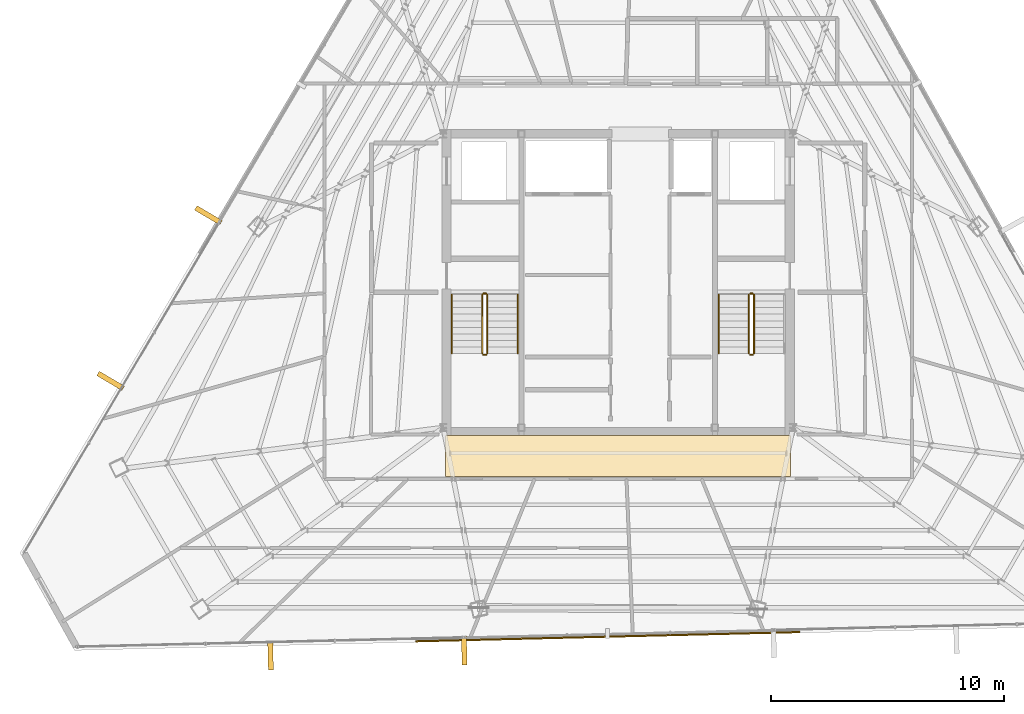
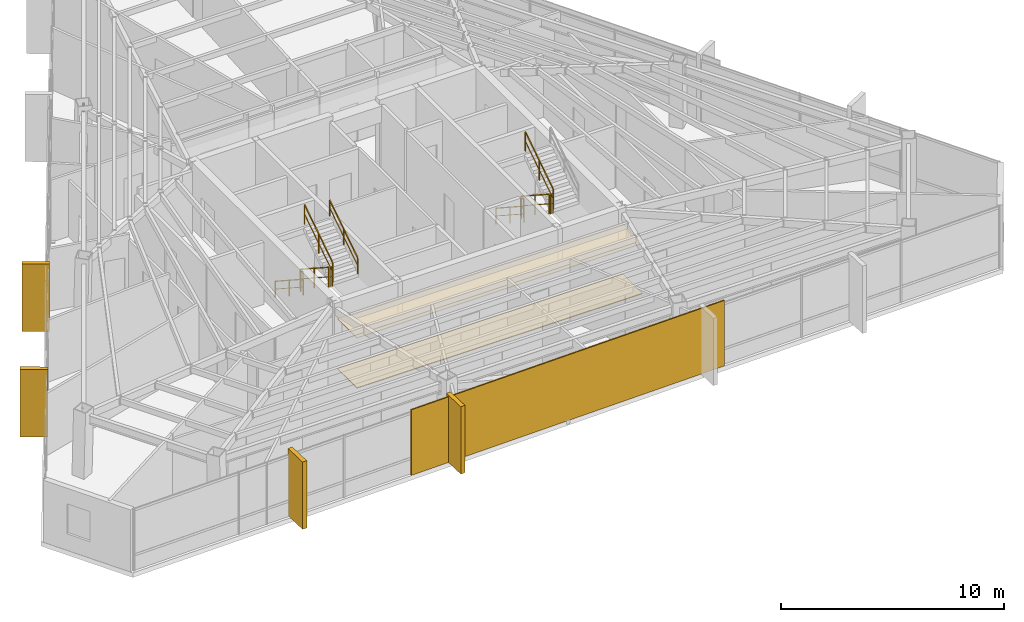
# One storey, part 47 of 48: 11 railings, 6 coverings, 1 shading device.
"""IFC4 building model written with IfcOpenShell, lengths in metres."""

from ifc_helpers import new_model, si_unit, direction, frame, origin, origin_2d, place, context, subcontext, project, spatial, polyline, rectangle, outline, extrude, source, transform, mapped, material, layer, layer_set, type_object, type_shapes, element, save


model = new_model("IFC4")

# Units and contexts
model_context = context("Model", 3, precision=1e-05, world=origin(), true_north=direction((0.0, 1.0)))
body_context = subcontext(model_context, "Body", "Model", "MODEL_VIEW")
ifc_project = project(units=[si_unit("LENGTHUNIT", "METRE"), si_unit("AREAUNIT", "SQUARE_METRE"), si_unit("VOLUMEUNIT", "CUBIC_METRE"), si_unit("PLANEANGLEUNIT", "RADIAN"), si_unit("MASSUNIT", "GRAM", prefix="KILO")], contexts=[model_context])

# Site, building, storey
site_placement = place(None, origin())
site = spatial("IfcSite", under=ifc_project, at=site_placement, CompositionType="ELEMENT")
building_placement = place(site_placement, origin())
building = spatial("IfcBuilding", under=site, at=building_placement, Name="Caelisora Broadcast Tower", CompositionType="ELEMENT")
storey_placement = place(building_placement, frame((0.0, 0.0, 270.0)))
storey = spatial("IfcBuildingStorey", under=building, at=storey_placement, Name="L71", CompositionType="ELEMENT", Elevation=270.0)

# Coverings
ifc_material_1 = material(Name="Perforated Mineral-Fibre Acoustic Ceiling Tile", Category="gypsum")
ifc_layer_1 = layer(ifc_material_1, 0.034912109375, Name="Perforated Mineral-Fibre Acoustic Ceiling Tile")
ifc_layer_set_1 = layer_set([ifc_layer_1], Name="Perforated Mineral-Fibre Acoustic Ceiling Tile")
covering_type_1 = type_object("IfcCoveringType", Name="CE-1", PredefinedType="CEILING", material=ifc_layer_set_1)
covering_1_placement = place(storey_placement, frame((0.0, 0.0, 2.75)))
element("IfcCovering", 1, at=covering_1_placement, inside=storey, type_object=covering_type_1, Name="L71 acoustic corridor ceiling CE-1 (S)", PredefinedType="CEILING", context=body_context, shape_type="SweptSolid", body=[
    extrude(outline(polyline([(30.60009765625, 15.300048828125), (45.39990234375, 15.300048828125), (45.39990234375, 17.050048828125), (30.60009765625, 17.050048828125), (30.60009765625, 15.300048828125)])), origin(), (0.0, 0.0, 1.0), 0.034912109375),
])
ifc_material_2 = material(Name="Anti-Static Broadcast Raised Access Floor Panel", Category="steel")
ifc_layer_2 = layer(ifc_material_2, 0.044921875, Name="Anti-Static Broadcast Raised Access Floor Panel")
ifc_layer_set_2 = layer_set([ifc_layer_2], Name="Anti-Static Broadcast Raised Access Floor Panel")
covering_type_2 = type_object("IfcCoveringType", Name="FL-1", PredefinedType="FLOORING", material=ifc_layer_set_2)
covering_2_placement = place(storey_placement, origin())
element("IfcCovering", 2, at=covering_2_placement, inside=storey, type_object=covering_type_2, Name="L71 broadcast raised access floor FL-1 (S)", PredefinedType="FLOORING", context=body_context, shape_type="SweptSolid", body=[
    extrude(outline(polyline([(30.60009765625, 15.300048828125), (45.39990234375, 15.300048828125), (45.39990234375, 17.050048828125), (30.60009765625, 17.050048828125), (30.60009765625, 15.300048828125)])), origin(), (0.0, 0.0, 1.0), 0.044921875),
])

# Railings
ifc_material_3 = material(Name="Galvanised Steel Safety Guardrail", Category="steel")
ifc_layer_3 = layer(ifc_material_3, 0.048095703125, Name="Galvanised Steel Safety Guardrail")
ifc_layer_set_3 = layer_set([ifc_layer_3], Name="Galvanised Steel Safety Guardrail")
railing_type_1 = type_object("IfcRailingType", Name="GR-1", PredefinedType="GUARDRAIL", material=ifc_layer_set_3)
railing_1_placement = place(storey_placement, frame((32.169921875, 23.10009765625, 0.1826171875)))
element("IfcRailing", 3, at=railing_1_placement, inside=storey, type_object=railing_type_1, Name="L71 ST-1 stair guard 1", PredefinedType="GUARDRAIL", context=body_context, shape_type="SweptSolid", body=[
    extrude(rectangle(XDim=0.048095703125, YDim=0.048095703125, at=origin_2d()), frame((0.0, 0.0, 1.076171875), z_axis=(0.0, -0.837786554691, 0.545997883492), x_axis=(1.0, 0.0, 0.0)), (0.0, 0.0, 1.0), 3.008056640625),
    extrude(rectangle(XDim=0.03125, YDim=0.03125, at=origin_2d()), frame((0.0, 0.0, 0.550048828125), z_axis=(0.0, -0.837786554691, 0.545997883492), x_axis=(1.0, 0.0, 0.0)), (0.0, 0.0, 1.0), 3.008056640625),
    extrude(rectangle(XDim=0.0419921875, YDim=0.0419921875, at=origin_2d()), origin(), (0.0, 0.0, 1.0), 1.052001953125),
    extrude(rectangle(XDim=0.0419921875, YDim=0.0419921875, at=origin_2d()), frame((0.0, -1.260009765625, 0.8212890625)), (0.0, 0.0, 1.0), 1.052001953125),
    extrude(rectangle(XDim=0.0419921875, YDim=0.0419921875, at=origin_2d()), frame((0.0, -2.52001953125, 1.642333984375)), (0.0, 0.0, 1.0), 1.052001953125),
])
railing_2_placement = place(storey_placement, frame((32.219970703125, 20.530029296875, 1.824951171875)))
element("IfcRailing", 4, at=railing_2_placement, inside=storey, type_object=railing_type_1, Name="L71 ST-1 stair guard 2", PredefinedType="GUARDRAIL", context=body_context, shape_type="SweptSolid", body=[
    extrude(rectangle(XDim=0.048095703125, YDim=0.048095703125, at=origin_2d()), frame((0.0, 0.0, 1.076171875), z_axis=(1.0, 0.0, 0.0), x_axis=(0.0, 1.0, 0.0)), (0.0, 0.0, 1.0), 0.1201171875),
    extrude(rectangle(XDim=0.03125, YDim=0.03125, at=origin_2d()), frame((0.0, 0.0, 0.550048828125), z_axis=(1.0, 0.0, 0.0), x_axis=(0.0, 1.0, 0.0)), (0.0, 0.0, 1.0), 0.1201171875),
    extrude(rectangle(XDim=0.0419921875, YDim=0.0419921875, at=origin_2d()), origin(), (0.0, 0.0, 1.0), 1.052001953125),
    extrude(rectangle(XDim=0.0419921875, YDim=0.0419921875, at=origin_2d()), frame((0.1201171875, 0.0, 0.0)), (0.0, 0.0, 1.0), 1.052001953125),
])
railing_3_placement = place(storey_placement, frame((32.389892578125, 20.580078125, 2.007568359375)))
element("IfcRailing", 5, at=railing_3_placement, inside=storey, type_object=railing_type_1, Name="L71 ST-1 stair guard 3", PredefinedType="GUARDRAIL", context=body_context, shape_type="SweptSolid", body=[
    extrude(rectangle(XDim=0.048095703125, YDim=0.048095703125, at=origin_2d()), frame((0.0, 0.0, 1.076171875), z_axis=(0.0, 0.837786554691, 0.545997883492), x_axis=(-1.0, 0.0, 0.0)), (0.0, 0.0, 1.0), 3.008056640625),
    extrude(rectangle(XDim=0.03125, YDim=0.03125, at=origin_2d()), frame((0.0, 0.0, 0.550048828125), z_axis=(0.0, 0.837786554691, 0.545997883492), x_axis=(-1.0, 0.0, 0.0)), (0.0, 0.0, 1.0), 3.008056640625),
    extrude(rectangle(XDim=0.0419921875, YDim=0.0419921875, at=origin_2d()), origin(), (0.0, 0.0, 1.0), 1.052001953125),
    extrude(rectangle(XDim=0.0419921875, YDim=0.0419921875, at=origin_2d()), frame((0.0, 1.260009765625, 0.8212890625)), (0.0, 0.0, 1.0), 1.052001953125),
    extrude(rectangle(XDim=0.0419921875, YDim=0.0419921875, at=origin_2d()), frame((0.0, 2.52001953125, 1.642333984375)), (0.0, 0.0, 1.0), 1.052001953125),
])
railing_4_placement = place(storey_placement, frame((32.219970703125, 23.14990234375, 0.0)))
element("IfcRailing", 6, at=railing_4_placement, inside=storey, type_object=railing_type_1, Name="L71 ST-1 stair guard 4", PredefinedType="GUARDRAIL", context=body_context, shape_type="SweptSolid", body=[
    extrude(rectangle(XDim=0.048095703125, YDim=0.048095703125, at=origin_2d()), frame((0.0, 0.0, 1.076171875), z_axis=(1.0, 0.0, 0.0), x_axis=(0.0, 1.0, 0.0)), (0.0, 0.0, 1.0), 0.1201171875),
    extrude(rectangle(XDim=0.03125, YDim=0.03125, at=origin_2d()), frame((0.0, 0.0, 0.550048828125), z_axis=(1.0, 0.0, 0.0), x_axis=(0.0, 1.0, 0.0)), (0.0, 0.0, 1.0), 0.1201171875),
    extrude(rectangle(XDim=0.0419921875, YDim=0.0419921875, at=origin_2d()), origin(), (0.0, 0.0, 1.0), 1.052001953125),
    extrude(rectangle(XDim=0.0419921875, YDim=0.0419921875, at=origin_2d()), frame((0.1201171875, 0.0, 0.0)), (0.0, 0.0, 1.0), 1.052001953125),
])
railing_5_placement = place(storey_placement, frame((43.610107421875, 23.10009765625, 0.1826171875)))
element("IfcRailing", 7, at=railing_5_placement, inside=storey, type_object=railing_type_1, Name="L71 ST-2 stair guard 1", PredefinedType="GUARDRAIL", context=body_context, shape_type="SweptSolid", body=[
    extrude(rectangle(XDim=0.048095703125, YDim=0.048095703125, at=origin_2d()), frame((0.0, 0.0, 1.076171875), z_axis=(0.0, -0.837786554691, 0.545997883492), x_axis=(1.0, 0.0, 0.0)), (0.0, 0.0, 1.0), 3.008056640625),
    extrude(rectangle(XDim=0.03125, YDim=0.03125, at=origin_2d()), frame((0.0, 0.0, 0.550048828125), z_axis=(0.0, -0.837786554691, 0.545997883492), x_axis=(1.0, 0.0, 0.0)), (0.0, 0.0, 1.0), 3.008056640625),
    extrude(rectangle(XDim=0.0419921875, YDim=0.0419921875, at=origin_2d()), origin(), (0.0, 0.0, 1.0), 1.052001953125),
    extrude(rectangle(XDim=0.0419921875, YDim=0.0419921875, at=origin_2d()), frame((0.0, -1.260009765625, 0.8212890625)), (0.0, 0.0, 1.0), 1.052001953125),
    extrude(rectangle(XDim=0.0419921875, YDim=0.0419921875, at=origin_2d()), frame((0.0, -2.52001953125, 1.642333984375)), (0.0, 0.0, 1.0), 1.052001953125),
])
railing_6_placement = place(storey_placement, frame((43.659912109375, 20.530029296875, 1.824951171875)))
element("IfcRailing", 8, at=railing_6_placement, inside=storey, type_object=railing_type_1, Name="L71 ST-2 stair guard 2", PredefinedType="GUARDRAIL", context=body_context, shape_type="SweptSolid", body=[
    extrude(rectangle(XDim=0.048095703125, YDim=0.048095703125, at=origin_2d()), frame((0.0, 0.0, 1.076171875), z_axis=(1.0, 0.0, 0.0), x_axis=(0.0, 1.0, 0.0)), (0.0, 0.0, 1.0), 0.1201171875),
    extrude(rectangle(XDim=0.03125, YDim=0.03125, at=origin_2d()), frame((0.0, 0.0, 0.550048828125), z_axis=(1.0, 0.0, 0.0), x_axis=(0.0, 1.0, 0.0)), (0.0, 0.0, 1.0), 0.1201171875),
    extrude(rectangle(XDim=0.0419921875, YDim=0.0419921875, at=origin_2d()), origin(), (0.0, 0.0, 1.0), 1.052001953125),
    extrude(rectangle(XDim=0.0419921875, YDim=0.0419921875, at=origin_2d()), frame((0.1201171875, 0.0, 0.0)), (0.0, 0.0, 1.0), 1.052001953125),
])
railing_7_placement = place(storey_placement, frame((43.830078125, 20.580078125, 2.007568359375)))
element("IfcRailing", 9, at=railing_7_placement, inside=storey, type_object=railing_type_1, Name="L71 ST-2 stair guard 3", PredefinedType="GUARDRAIL", context=body_context, shape_type="SweptSolid", body=[
    extrude(rectangle(XDim=0.048095703125, YDim=0.048095703125, at=origin_2d()), frame((0.0, 0.0, 1.076171875), z_axis=(0.0, 0.837786554691, 0.545997883492), x_axis=(-1.0, 0.0, 0.0)), (0.0, 0.0, 1.0), 3.008056640625),
    extrude(rectangle(XDim=0.03125, YDim=0.03125, at=origin_2d()), frame((0.0, 0.0, 0.550048828125), z_axis=(0.0, 0.837786554691, 0.545997883492), x_axis=(-1.0, 0.0, 0.0)), (0.0, 0.0, 1.0), 3.008056640625),
    extrude(rectangle(XDim=0.0419921875, YDim=0.0419921875, at=origin_2d()), origin(), (0.0, 0.0, 1.0), 1.052001953125),
    extrude(rectangle(XDim=0.0419921875, YDim=0.0419921875, at=origin_2d()), frame((0.0, 1.260009765625, 0.8212890625)), (0.0, 0.0, 1.0), 1.052001953125),
    extrude(rectangle(XDim=0.0419921875, YDim=0.0419921875, at=origin_2d()), frame((0.0, 2.52001953125, 1.642333984375)), (0.0, 0.0, 1.0), 1.052001953125),
])
railing_8_placement = place(storey_placement, frame((43.659912109375, 23.14990234375, 0.0)))
element("IfcRailing", 10, at=railing_8_placement, inside=storey, type_object=railing_type_1, Name="L71 ST-2 stair guard 4", PredefinedType="GUARDRAIL", context=body_context, shape_type="SweptSolid", body=[
    extrude(rectangle(XDim=0.048095703125, YDim=0.048095703125, at=origin_2d()), frame((0.0, 0.0, 1.076171875), z_axis=(1.0, 0.0, 0.0), x_axis=(0.0, 1.0, 0.0)), (0.0, 0.0, 1.0), 0.1201171875),
    extrude(rectangle(XDim=0.03125, YDim=0.03125, at=origin_2d()), frame((0.0, 0.0, 0.550048828125), z_axis=(1.0, 0.0, 0.0), x_axis=(0.0, 1.0, 0.0)), (0.0, 0.0, 1.0), 0.1201171875),
    extrude(rectangle(XDim=0.0419921875, YDim=0.0419921875, at=origin_2d()), origin(), (0.0, 0.0, 1.0), 1.052001953125),
    extrude(rectangle(XDim=0.0419921875, YDim=0.0419921875, at=origin_2d()), frame((0.1201171875, 0.0, 0.0)), (0.0, 0.0, 1.0), 1.052001953125),
])
ifc_material_4 = material(Name="Stainless Steel Grade 316 Tubular Handrail", Category="steel")
ifc_layer_4 = layer(ifc_material_4, 0.048095703125, Name="Stainless Steel Grade 316 Tubular Handrail")
ifc_layer_set_4 = layer_set([ifc_layer_4], Name="Stainless Steel Grade 316 Tubular Handrail")
railing_type_2 = type_object("IfcRailingType", Name="HR-1", PredefinedType="HANDRAIL", material=ifc_layer_set_4)
railing_9_placement = place(storey_placement, frame((30.8701171875, 23.10009765625, 0.1826171875)))
element("IfcRailing", 11, at=railing_9_placement, inside=storey, type_object=railing_type_2, Name="L71 ST-1 stair handrail 1", PredefinedType="HANDRAIL", context=body_context, shape_type="SweptSolid", body=[
    extrude(rectangle(XDim=0.048095703125, YDim=0.048095703125, at=origin_2d()), frame((0.0, 0.0, 0.8759765625), z_axis=(0.0, -0.837786554691, 0.545997883492), x_axis=(1.0, 0.0, 0.0)), (0.0, 0.0, 1.0), 3.008056640625),
    extrude(rectangle(XDim=0.03125, YDim=0.03125, at=origin_2d()), frame((0.0, 0.0, 0.449951171875), z_axis=(0.0, -0.837786554691, 0.545997883492), x_axis=(1.0, 0.0, 0.0)), (0.0, 0.0, 1.0), 3.008056640625),
    extrude(rectangle(XDim=0.0419921875, YDim=0.0419921875, at=origin_2d()), origin(), (0.0, 0.0, 1.0), 0.851806640625),
    extrude(rectangle(XDim=0.0419921875, YDim=0.0419921875, at=origin_2d()), frame((0.0, -1.260009765625, 0.8212890625)), (0.0, 0.0, 1.0), 0.851806640625),
    extrude(rectangle(XDim=0.0419921875, YDim=0.0419921875, at=origin_2d()), frame((0.0, -2.52001953125, 1.642333984375)), (0.0, 0.0, 1.0), 0.851806640625),
])
railing_10_placement = place(storey_placement, frame((33.68994140625, 20.580078125, 2.007568359375)))
element("IfcRailing", 12, at=railing_10_placement, inside=storey, type_object=railing_type_2, Name="L71 ST-1 stair handrail 2", PredefinedType="HANDRAIL", context=body_context, shape_type="SweptSolid", body=[
    extrude(rectangle(XDim=0.048095703125, YDim=0.048095703125, at=origin_2d()), frame((0.0, 0.0, 0.8759765625), z_axis=(0.0, 0.837786554691, 0.545997883492), x_axis=(-1.0, 0.0, 0.0)), (0.0, 0.0, 1.0), 3.008056640625),
    extrude(rectangle(XDim=0.03125, YDim=0.03125, at=origin_2d()), frame((0.0, 0.0, 0.449951171875), z_axis=(0.0, 0.837786554691, 0.545997883492), x_axis=(-1.0, 0.0, 0.0)), (0.0, 0.0, 1.0), 3.008056640625),
    extrude(rectangle(XDim=0.0419921875, YDim=0.0419921875, at=origin_2d()), origin(), (0.0, 0.0, 1.0), 0.851806640625),
    extrude(rectangle(XDim=0.0419921875, YDim=0.0419921875, at=origin_2d()), frame((0.0, 1.260009765625, 0.8212890625)), (0.0, 0.0, 1.0), 0.851806640625),
    extrude(rectangle(XDim=0.0419921875, YDim=0.0419921875, at=origin_2d()), frame((0.0, 2.52001953125, 1.642333984375)), (0.0, 0.0, 1.0), 0.851806640625),
])
railing_11_placement = place(storey_placement, frame((42.31005859375, 23.10009765625, 0.1826171875)))
element("IfcRailing", 13, at=railing_11_placement, inside=storey, type_object=railing_type_2, Name="L71 ST-2 stair handrail 1", PredefinedType="HANDRAIL", context=body_context, shape_type="SweptSolid", body=[
    extrude(rectangle(XDim=0.048095703125, YDim=0.048095703125, at=origin_2d()), frame((0.0, 0.0, 0.8759765625), z_axis=(0.0, -0.837786554691, 0.545997883492), x_axis=(1.0, 0.0, 0.0)), (0.0, 0.0, 1.0), 3.008056640625),
    extrude(rectangle(XDim=0.03125, YDim=0.03125, at=origin_2d()), frame((0.0, 0.0, 0.449951171875), z_axis=(0.0, -0.837786554691, 0.545997883492), x_axis=(1.0, 0.0, 0.0)), (0.0, 0.0, 1.0), 3.008056640625),
    extrude(rectangle(XDim=0.0419921875, YDim=0.0419921875, at=origin_2d()), origin(), (0.0, 0.0, 1.0), 0.851806640625),
    extrude(rectangle(XDim=0.0419921875, YDim=0.0419921875, at=origin_2d()), frame((0.0, -1.260009765625, 0.8212890625)), (0.0, 0.0, 1.0), 0.851806640625),
    extrude(rectangle(XDim=0.0419921875, YDim=0.0419921875, at=origin_2d()), frame((0.0, -2.52001953125, 1.642333984375)), (0.0, 0.0, 1.0), 0.851806640625),
])

# Coverings
ifc_material_5 = material(Name="Kiln-Fired Terracotta Spandrel Rainscreen Cladding", Category="ceramic")
ifc_layer_5 = layer(ifc_material_5, 0.044921875, Name="Kiln-Fired Terracotta Spandrel Rainscreen Cladding")
ifc_layer_set_5 = layer_set([ifc_layer_5], Name="Kiln-Fired Terracotta Spandrel Rainscreen Cladding")
covering_type_3 = type_object("IfcCoveringType", Name="CL-1", PredefinedType="CLADDING", material=ifc_layer_set_5)
shared_shape_1 = source(origin(), body_context, "Body", "SweptSolid", [
    extrude(rectangle(XDim=0.219970703125, YDim=1.25, at=origin_2d()), origin(), (0.0, 0.0, 1.0), 3.68994140625),
])
type_shapes(covering_type_3, [shared_shape_1])
for number, where, z_axis, x_axis, name in (
    (14, (31.401611328125, 7.82958984375, -0.02001953125), (0.0, 0.0, 1.0), (-0.999709957315, -0.024083215021, 0.0), "L71 vertical solar fin cladding #2-3"),
    (15, (23.089599609375, 7.6298828125, -0.02001953125), (0.0, 0.0, 1.0), (-0.999709957315, -0.024083215021, 0.0), "L71 vertical solar fin cladding #2-4"),
    (16, (16.2275390625, 19.402587890625, -0.02001953125), (0.0, 0.0, 1.0), (0.508590662521, 0.861008442465, 0.0), "L71 vertical solar fin cladding #3-1"),
    (17, (20.42236328125, 26.504150390625, -0.02001953125), (0.0, 0.0, 1.0), (0.508590662521, 0.861008442465, 0.0), "L71 vertical solar fin cladding #3-2"),
):
    element("IfcCovering", number, at=place(storey_placement, frame(where, z_axis=z_axis, x_axis=x_axis)), inside=storey, type_object=covering_type_3, Name=name, PredefinedType="CLADDING", context=body_context, shape_type="MappedRepresentation", body=[
        mapped(shared_shape_1, transform((0.0, 0.0, 0.0), scale=1.0)),
    ])

# Shading device
ifc_material_6 = material(Name="Perforated Glazed Terracotta Baguette Solar Screen", Category="ceramic")
ifc_layer_6 = layer(ifc_material_6, 0.06494140625, Name="Perforated Glazed Terracotta Baguette Solar Screen")
ifc_layer_set_6 = layer_set([ifc_layer_6], Name="Perforated Glazed Terracotta Baguette Solar Screen")
shading_device_type = type_object("IfcShadingDeviceType", Name="SS-1", PredefinedType="USERDEFINED", material=ifc_layer_set_6)
shared_shape_2 = source(origin(), body_context, "Body", "SweptSolid", [
    extrude(rectangle(XDim=16.47412109375, YDim=0.06494140625, at=origin_2d()), origin(), (0.0, 0.0, 1.0), 3.590087890625),
])
type_shapes(shading_device_type, [shared_shape_2])
shading_device_placement = place(storey_placement, frame((37.550048828125, 8.427490234375, 0.0), z_axis=(0.0, 0.0, 1.0), x_axis=(0.999709957315, 0.024083215021, 0.0)))
element("IfcShadingDevice", 18, at=shading_device_placement, inside=storey, type_object=shading_device_type, Name="L71 perforated terracotta solar screen #2", ObjectType="SOLAR SCREEN", PredefinedType="USERDEFINED", context=body_context, shape_type="MappedRepresentation", body=[
    mapped(shared_shape_2, transform((0.0, 0.0, 0.0), scale=1.0)),
])

save(model, "model.ifc")
